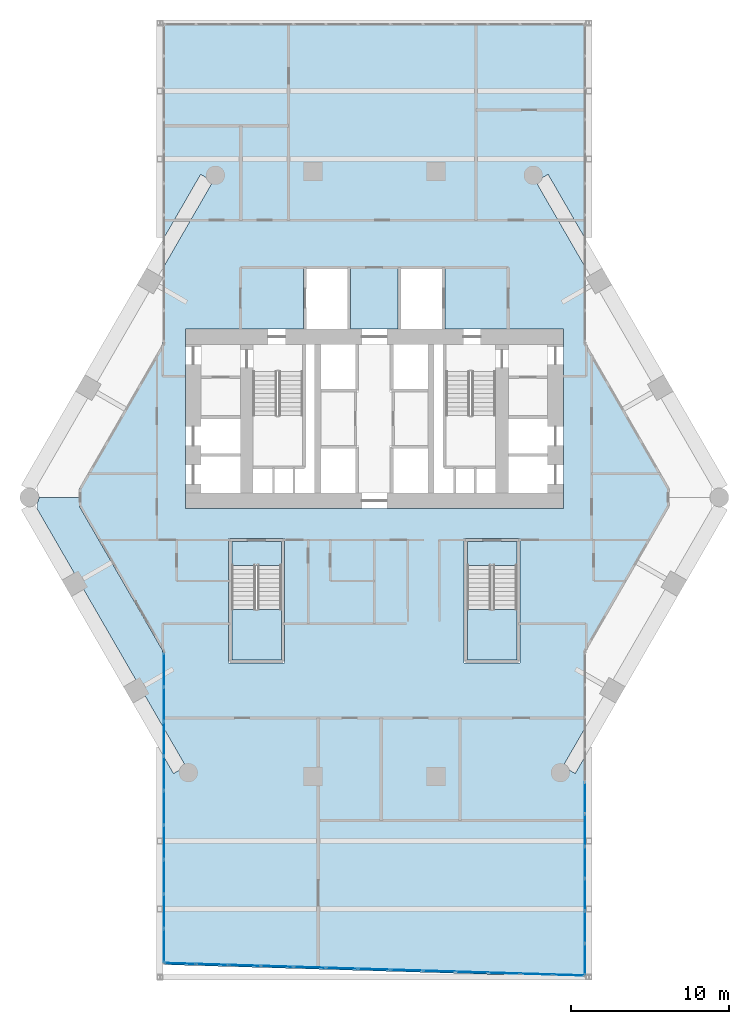
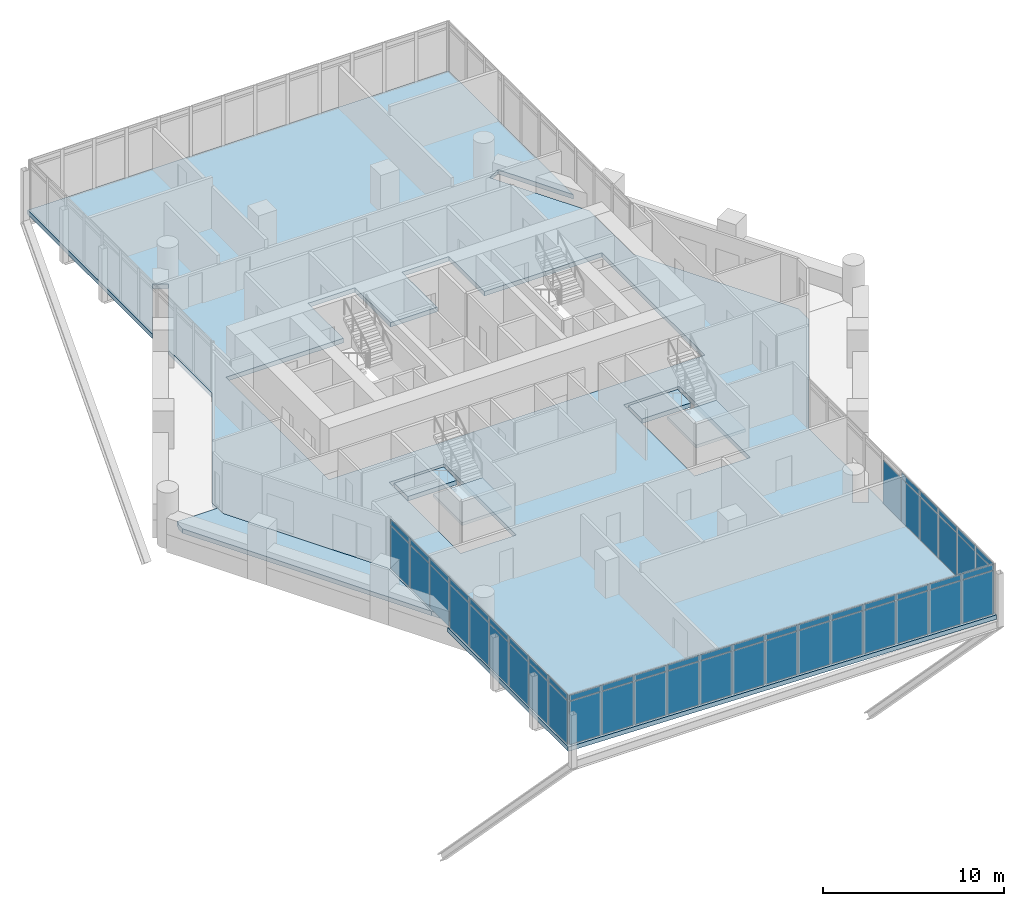
# One storey, part 27 of 37: 55 plates, 6 slabs, 5 elements without a shape of their own.
"""IFC4 building model written with IfcOpenShell, lengths in metres."""

import ifcopenshell
import ifcopenshell.guid

model = None  # the IFC model being written
_history = None  # IfcOwnerHistory: only IFC2X3 demands one
_inside = {}  # id of a spatial element -> (the spatial element, [elements in it])
_under = {}  # id of a project, library or spatial element -> (it, [spatial elements below it])
_declared = {}  # id of a project -> (the project, [libraries it declares])
_typed = {}  # id of a type object -> (the type object, [elements of that type])
_made_of = {}  # id of a material, layer set ... -> (it, [elements and type objects made of it])


def new_model(schema):
    """Start an empty IFC model of exactly this schema.

    Asked for "IFC4X3", IfcOpenShell would pick the latest addendum, in which some entities
    have other attributes; the version numbers below select the first issue.
    IFC2X3 requires an IfcOwnerHistory on every rooted entity: one is made here for all.
    """
    global model, _history
    if schema == "IFC4X3":
        model = ifcopenshell.file(schema_version=(4, 3, 0, 0))
    else:
        model = ifcopenshell.file(schema=schema)
    _inside.clear()
    _under.clear()
    _declared.clear()
    _typed.clear()
    _made_of.clear()
    _history = None
    if model.schema == "IFC2X3":
        org = make("IfcOrganization", Name="unknown")
        user = make(
            "IfcPersonAndOrganization",
            ThePerson=make("IfcPerson", FamilyName="unknown"),
            TheOrganization=org,
        )
        app = make(
            "IfcApplication",
            ApplicationDeveloper=org,
            Version="unknown",
            ApplicationFullName="unknown",
            ApplicationIdentifier="unknown",
        )
        _history = make(
            "IfcOwnerHistory",
            OwningUser=user,
            OwningApplication=app,
            ChangeAction="ADDED",
            CreationDate=0,
        )
    return model


def make(cls, **values):
    """One entity of the class cls with the attributes given. An attribute that is None is left unset."""
    return model.create_entity(
        cls, **{name: value for name, value in values.items() if value is not None}
    )


def rooted(cls, **values):
    """An entity with a GlobalId (a new one), such as an element, a storey or a relation."""
    return make(cls, GlobalId=ifcopenshell.guid.new(), OwnerHistory=_history, **values)


def si_unit(unit_type, name, prefix=None):
    """IfcSIUnit, for example si_unit("LENGTHUNIT", "METRE", prefix="MILLI")."""
    return make("IfcSIUnit", UnitType=unit_type, Prefix=prefix, Name=name)


def assignment(units):
    """IfcUnitAssignment: the units of a project."""
    return None if units is None else make("IfcUnitAssignment", Units=units)


def point(xyz):
    """IfcCartesianPoint."""
    return None if xyz is None else make("IfcCartesianPoint", Coordinates=xyz)


def direction(xyz):
    """IfcDirection."""
    return None if xyz is None else make("IfcDirection", DirectionRatios=xyz)


def frame(location, z_axis=None, x_axis=None):
    """IfcAxis2Placement3D, a coordinate frame: its origin and axes. An axis left out is left unset."""
    return make(
        "IfcAxis2Placement3D",
        Location=point(location),
        Axis=direction(z_axis),
        RefDirection=direction(x_axis),
    )


def frame_2d(location, x_axis=None):
    """IfcAxis2Placement2D, a coordinate frame in the plane: its origin and x axis."""
    return make(
        "IfcAxis2Placement2D", Location=point(location), RefDirection=direction(x_axis)
    )


def origin():
    """The frame at (0, 0, 0) with its axes left unset."""
    return frame((0.0, 0.0, 0.0))


def origin_2d():
    """The frame at (0, 0) in the plane with its x axis left unset."""
    return frame_2d((0.0, 0.0))


def place(relative_to, where):
    """IfcLocalPlacement: puts the frame where relative to a parent placement (None: the world)."""
    return make(
        "IfcLocalPlacement", PlacementRelTo=relative_to, RelativePlacement=where
    )


def context(
    kind, dimensions, precision=None, world=None, true_north=None, identifier=None
):
    """IfcGeometricRepresentationContext, for example the 3D "Model" context."""
    return make(
        "IfcGeometricRepresentationContext",
        ContextIdentifier=identifier,
        ContextType=kind,
        CoordinateSpaceDimension=dimensions,
        Precision=precision,
        WorldCoordinateSystem=world,
        TrueNorth=true_north,
    )


def subcontext(parent, identifier, kind, view, scale=None):
    """IfcGeometricRepresentationSubContext, for example "Body" below "Model"."""
    return make(
        "IfcGeometricRepresentationSubContext",
        ContextIdentifier=identifier,
        ContextType=kind,
        ParentContext=parent,
        TargetScale=scale,
        TargetView=view,
    )


def project(units=None, contexts=None):
    """IfcProject with its units and contexts."""
    return rooted(
        "IfcProject",
        Name="project",
        RepresentationContexts=contexts,
        UnitsInContext=assignment(units),
    )


def spatial(cls, under=None, at=None, **own):
    """A site, building, storey or space (cls), placed at a placement, below another one or the project."""
    s = rooted(cls, ObjectPlacement=at, **own)
    if under is not None:
        _under.setdefault(under.id(), (under, []))[1].append(s)
    return s


def polyline(points):
    """IfcPolyline through the points."""
    return make("IfcPolyline", Points=[point(p) for p in points])


def profile(cls, at=None, kind="AREA", **sizes):
    """A parametric profile (cls). Its sizes go by their IFC names, for example OverallWidth=200.0."""
    return make(cls, ProfileType=kind, Position=at, **sizes)


def rectangle(**sizes):
    """IfcRectangleProfileDef."""
    return profile("IfcRectangleProfileDef", **sizes)


def outline(outer, holes=None, kind="AREA"):
    """IfcArbitraryClosedProfileDef: a profile drawn as a closed curve; with holes, ...WithVoids."""
    if holes is None:
        return make("IfcArbitraryClosedProfileDef", ProfileType=kind, OuterCurve=outer)
    return make(
        "IfcArbitraryProfileDefWithVoids",
        ProfileType=kind,
        OuterCurve=outer,
        InnerCurves=holes,
    )


def extrude(swept, where, along, depth):
    """IfcExtrudedAreaSolid: the profile swept, set in the frame where, extruded along a direction by depth."""
    return make(
        "IfcExtrudedAreaSolid",
        SweptArea=swept,
        Position=where,
        ExtrudedDirection=direction(along),
        Depth=depth,
    )


def shape(context_of_items, identifier, shape_type, items):
    """IfcShapeRepresentation: the items that make up one representation, for example the "Body"."""
    return make(
        "IfcShapeRepresentation",
        ContextOfItems=context_of_items,
        RepresentationIdentifier=identifier,
        RepresentationType=shape_type,
        Items=items,
    )


def material(Name=None, Category=None):
    """IfcMaterial."""
    return make("IfcMaterial", Name=Name, Category=Category)


def layer(
    of_material, thickness, ventilated=None, Name=None, Category=None, Priority=None
):
    """IfcMaterialLayer: one layer of a wall or slab, of a material (None: an air gap)."""
    return make(
        "IfcMaterialLayer",
        Material=of_material,
        LayerThickness=thickness,
        IsVentilated=ventilated,
        Name=Name,
        Category=Category,
        Priority=Priority,
    )


def layer_set(layers, Name=None):
    """IfcMaterialLayerSet."""
    return make("IfcMaterialLayerSet", MaterialLayers=layers, LayerSetName=Name)


def made_of(thing, what):
    """Note that an element or type object is made of a material, layer set ...; save() writes the relation."""
    if what is not None:
        _made_of.setdefault(what.id(), (what, []))[1].append(thing)
    return thing


def type_object(cls, material=None, **own):
    """A type object (cls), such as IfcWallType, which elements share."""
    return made_of(rooted(cls, **own), material)


def element(
    cls,
    number,
    at=None,
    inside=None,
    cuts=None,
    type_object=None,
    material=None,
    context=None,
    identifier="Body",
    shape_type=None,
    held_by="IfcProductDefinitionShape",
    body=None,
    shapes=None,
    **own,
):
    """One element of the class cls, such as IfcWall. Its Tag is "e" and its number.

    at: its placement. inside: the storey or other place that contains it. cuts: it is an
    opening in that element (IfcRelVoidsElement). A single representation is given by context,
    identifier, shape_type and body (its items); several are given by shapes. held_by: the class
    of the entity that holds the representations. save() writes the other relations.
    """
    e = rooted(cls, Tag="e%d" % number, ObjectPlacement=at, **own)
    if body is not None:
        shapes = [shape(context, identifier, shape_type, body)]
    if shapes is not None:
        e.Representation = make(held_by, Representations=shapes)
    if inside is not None:
        _inside.setdefault(inside.id(), (inside, []))[1].append(e)
    if cuts is not None:
        rooted(
            "IfcRelVoidsElement", RelatingBuildingElement=cuts, RelatedOpeningElement=e
        )
    if type_object is not None:
        _typed.setdefault(type_object.id(), (type_object, []))[1].append(e)
    return made_of(e, material)


def aggregate(whole, parts):
    """IfcRelAggregates: a whole, such as a stair, and the parts it consists of."""
    return rooted("IfcRelAggregates", RelatingObject=whole, RelatedObjects=parts)


def save(model, path):
    """Write the relations noted so far, then the file.

    IfcRelAggregates (storeys below a building ...), IfcRelContainedInSpatialStructure (elements
    in a storey), IfcRelDefinesByType, IfcRelAssociatesMaterial and IfcRelDeclares: one each for
    every whole, place, type object, material and project.
    """
    for whole, parts in _under.values():
        aggregate(whole, parts)
    for where, things in _inside.values():
        rooted(
            "IfcRelContainedInSpatialStructure",
            RelatedElements=things,
            RelatingStructure=where,
        )
    for kind, things in _typed.values():
        rooted("IfcRelDefinesByType", RelatedObjects=things, RelatingType=kind)
    for what, things in _made_of.values():
        rooted("IfcRelAssociatesMaterial", RelatedObjects=things, RelatingMaterial=what)
    for by, libraries in _declared.values():
        rooted("IfcRelDeclares", RelatingContext=by, RelatedDefinitions=libraries)
    model.write(path)


model = new_model("IFC4")

# Units and contexts
model_context = context("Model", 3, precision=1e-05, world=origin(), true_north=direction((0.0, 1.0)))
body_context = subcontext(model_context, "Body", "Model", "MODEL_VIEW")
ifc_project = project(units=[si_unit("LENGTHUNIT", "METRE"), si_unit("AREAUNIT", "SQUARE_METRE"), si_unit("VOLUMEUNIT", "CUBIC_METRE"), si_unit("PLANEANGLEUNIT", "RADIAN"), si_unit("MASSUNIT", "GRAM", prefix="KILO")], contexts=[model_context])

# Site, building, storey
site_placement = place(None, origin())
site = spatial("IfcSite", under=ifc_project, at=site_placement, CompositionType="ELEMENT")
building_placement = place(site_placement, origin())
building = spatial("IfcBuilding", under=site, at=building_placement, Name="Ostrander Bayou Hotel Tower", CompositionType="ELEMENT")
storey_placement = place(building_placement, frame((0.0, 0.0, 131.0)))
storey = spatial("IfcBuildingStorey", under=building, at=storey_placement, Name="L32", CompositionType="ELEMENT", Elevation=131.0)

# Curtain wall, plates
ifc_material_1 = material(Name="Aluminium and clear glass", Category="aluminium")
curtain_wall_type = type_object("IfcCurtainWallType", Name="CW-BAR glazed wall", PredefinedType="NOTDEFINED", material=ifc_material_1)
curtain_wall_1_placement = place(storey_placement, origin())
curtain_wall_1 = element("IfcCurtainWall", 1, at=curtain_wall_1_placement, inside=storey, type_object=curtain_wall_type, Name="CW-BAR L32:SB3S:E", PredefinedType="NOTDEFINED")
ifc_material_2 = material(Name="Clear laminated glass", Category="glass")
ifc_layer_1 = layer(ifc_material_2, 0.028076171875)
ifc_layer_set_1 = layer_set([ifc_layer_1], Name="CW-BR glazing panel 28 mm")
plate_type = type_object("IfcPlateType", Name="CW-BR glazing panel 28 mm", PredefinedType="CURTAIN_PANEL", material=ifc_layer_set_1)
plate_1_placement = place(storey_placement, frame((-13.3671875, -11.95703125, 0.06005859375), z_axis=(0.0, 0.0, 1.0), x_axis=(0.0, -1.0, 0.0)))
plate_1 = element("IfcPlate", 2, at=plate_1_placement, type_object=plate_type, Name="CW-BAR panel 1.1", PredefinedType="CURTAIN_PANEL", context=body_context, shape_type="SweptSolid", body=[
    extrude(rectangle(XDim=2.099365234375, YDim=0.028076171875, at=origin_2d()), origin(), (0.0, 0.0, 1.0), 2.909912109375),
])
plate_2_placement = place(storey_placement, frame((-13.3671875, -11.95703125, 3.02978515625), z_axis=(0.0, 0.0, 1.0), x_axis=(0.0, -1.0, 0.0)))
plate_2 = element("IfcPlate", 3, at=plate_2_placement, type_object=plate_type, Name="CW-BAR panel 1.2", PredefinedType="CURTAIN_PANEL", context=body_context, shape_type="SweptSolid", body=[
    extrude(rectangle(XDim=2.099365234375, YDim=0.028076171875, at=origin_2d()), origin(), (0.0, 0.0, 1.0), 0.360107421875),
])
plate_3_placement = place(storey_placement, frame((-13.3671875, -14.13134765625, 0.06005859375), z_axis=(0.0, 0.0, 1.0), x_axis=(0.0, -1.0, 0.0)))
plate_3 = element("IfcPlate", 4, at=plate_3_placement, type_object=plate_type, Name="CW-BAR panel 2.1", PredefinedType="CURTAIN_PANEL", context=body_context, shape_type="SweptSolid", body=[
    extrude(rectangle(XDim=2.12939453125, YDim=0.028076171875, at=origin_2d()), origin(), (0.0, 0.0, 1.0), 2.909912109375),
])
plate_4_placement = place(storey_placement, frame((-13.3671875, -14.13134765625, 3.02978515625), z_axis=(0.0, 0.0, 1.0), x_axis=(0.0, -1.0, 0.0)))
plate_4 = element("IfcPlate", 5, at=plate_4_placement, type_object=plate_type, Name="CW-BAR panel 2.2", PredefinedType="CURTAIN_PANEL", context=body_context, shape_type="SweptSolid", body=[
    extrude(rectangle(XDim=2.12939453125, YDim=0.028076171875, at=origin_2d()), origin(), (0.0, 0.0, 1.0), 0.360107421875),
])
plate_5_placement = place(storey_placement, frame((-13.3671875, -16.32080078125, 0.06005859375), z_axis=(0.0, 0.0, 1.0), x_axis=(0.0, -1.0, 0.0)))
plate_5 = element("IfcPlate", 6, at=plate_5_placement, type_object=plate_type, Name="CW-BAR panel 3.1", PredefinedType="CURTAIN_PANEL", context=body_context, shape_type="SweptSolid", body=[
    extrude(rectangle(XDim=2.12939453125, YDim=0.028076171875, at=origin_2d()), origin(), (0.0, 0.0, 1.0), 2.909912109375),
])
plate_6_placement = place(storey_placement, frame((-13.3671875, -16.32080078125, 3.02978515625), z_axis=(0.0, 0.0, 1.0), x_axis=(0.0, -1.0, 0.0)))
plate_6 = element("IfcPlate", 7, at=plate_6_placement, type_object=plate_type, Name="CW-BAR panel 3.2", PredefinedType="CURTAIN_PANEL", context=body_context, shape_type="SweptSolid", body=[
    extrude(rectangle(XDim=2.12939453125, YDim=0.028076171875, at=origin_2d()), origin(), (0.0, 0.0, 1.0), 0.360107421875),
])
plate_7_placement = place(storey_placement, frame((-13.3671875, -18.51025390625, 0.06005859375), z_axis=(0.0, 0.0, 1.0), x_axis=(0.0, -1.0, 0.0)))
plate_7 = element("IfcPlate", 8, at=plate_7_placement, type_object=plate_type, Name="CW-BAR panel 4.1", PredefinedType="CURTAIN_PANEL", context=body_context, shape_type="SweptSolid", body=[
    extrude(rectangle(XDim=2.12939453125, YDim=0.028076171875, at=origin_2d()), origin(), (0.0, 0.0, 1.0), 2.909912109375),
])
plate_8_placement = place(storey_placement, frame((-13.3671875, -18.51025390625, 3.02978515625), z_axis=(0.0, 0.0, 1.0), x_axis=(0.0, -1.0, 0.0)))
plate_8 = element("IfcPlate", 9, at=plate_8_placement, type_object=plate_type, Name="CW-BAR panel 4.2", PredefinedType="CURTAIN_PANEL", context=body_context, shape_type="SweptSolid", body=[
    extrude(rectangle(XDim=2.12939453125, YDim=0.028076171875, at=origin_2d()), origin(), (0.0, 0.0, 1.0), 0.360107421875),
])
plate_9_placement = place(storey_placement, frame((-13.3671875, -20.69970703125, 0.06005859375), z_axis=(0.0, 0.0, 1.0), x_axis=(0.0, -1.0, 0.0)))
plate_9 = element("IfcPlate", 10, at=plate_9_placement, type_object=plate_type, Name="CW-BAR panel 5.1", PredefinedType="CURTAIN_PANEL", context=body_context, shape_type="SweptSolid", body=[
    extrude(rectangle(XDim=2.12939453125, YDim=0.028076171875, at=origin_2d()), origin(), (0.0, 0.0, 1.0), 2.909912109375),
])
plate_10_placement = place(storey_placement, frame((-13.3671875, -20.69970703125, 3.02978515625), z_axis=(0.0, 0.0, 1.0), x_axis=(0.0, -1.0, 0.0)))
plate_10 = element("IfcPlate", 11, at=plate_10_placement, type_object=plate_type, Name="CW-BAR panel 5.2", PredefinedType="CURTAIN_PANEL", context=body_context, shape_type="SweptSolid", body=[
    extrude(rectangle(XDim=2.12939453125, YDim=0.028076171875, at=origin_2d()), origin(), (0.0, 0.0, 1.0), 0.360107421875),
])
plate_11_placement = place(storey_placement, frame((-13.3671875, -22.88916015625, 0.06005859375), z_axis=(0.0, 0.0, 1.0), x_axis=(0.0, -1.0, 0.0)))
plate_11 = element("IfcPlate", 12, at=plate_11_placement, type_object=plate_type, Name="CW-BAR panel 6.1", PredefinedType="CURTAIN_PANEL", context=body_context, shape_type="SweptSolid", body=[
    extrude(rectangle(XDim=2.12939453125, YDim=0.028076171875, at=origin_2d()), origin(), (0.0, 0.0, 1.0), 2.909912109375),
])
plate_12_placement = place(storey_placement, frame((-13.3671875, -22.88916015625, 3.02978515625), z_axis=(0.0, 0.0, 1.0), x_axis=(0.0, -1.0, 0.0)))
plate_12 = element("IfcPlate", 13, at=plate_12_placement, type_object=plate_type, Name="CW-BAR panel 6.2", PredefinedType="CURTAIN_PANEL", context=body_context, shape_type="SweptSolid", body=[
    extrude(rectangle(XDim=2.12939453125, YDim=0.028076171875, at=origin_2d()), origin(), (0.0, 0.0, 1.0), 0.360107421875),
])
plate_13_placement = place(storey_placement, frame((-13.3671875, -25.07861328125, 0.06005859375), z_axis=(0.0, 0.0, 1.0), x_axis=(0.0, -1.0, 0.0)))
plate_13 = element("IfcPlate", 14, at=plate_13_placement, type_object=plate_type, Name="CW-BAR panel 7.1", PredefinedType="CURTAIN_PANEL", context=body_context, shape_type="SweptSolid", body=[
    extrude(rectangle(XDim=2.12939453125, YDim=0.028076171875, at=origin_2d()), origin(), (0.0, 0.0, 1.0), 2.909912109375),
])
plate_14_placement = place(storey_placement, frame((-13.3671875, -25.07861328125, 3.02978515625), z_axis=(0.0, 0.0, 1.0), x_axis=(0.0, -1.0, 0.0)))
plate_14 = element("IfcPlate", 15, at=plate_14_placement, type_object=plate_type, Name="CW-BAR panel 7.2", PredefinedType="CURTAIN_PANEL", context=body_context, shape_type="SweptSolid", body=[
    extrude(rectangle(XDim=2.12939453125, YDim=0.028076171875, at=origin_2d()), origin(), (0.0, 0.0, 1.0), 0.360107421875),
])
plate_15_placement = place(storey_placement, frame((-13.3671875, -27.26806640625, 0.06005859375), z_axis=(0.0, 0.0, 1.0), x_axis=(0.0, -1.0, 0.0)))
plate_15 = element("IfcPlate", 16, at=plate_15_placement, type_object=plate_type, Name="CW-BAR panel 8.1", PredefinedType="CURTAIN_PANEL", context=body_context, shape_type="SweptSolid", body=[
    extrude(rectangle(XDim=2.12939453125, YDim=0.028076171875, at=origin_2d()), origin(), (0.0, 0.0, 1.0), 2.909912109375),
])
plate_16_placement = place(storey_placement, frame((-13.3671875, -27.26806640625, 3.02978515625), z_axis=(0.0, 0.0, 1.0), x_axis=(0.0, -1.0, 0.0)))
plate_16 = element("IfcPlate", 17, at=plate_16_placement, type_object=plate_type, Name="CW-BAR panel 8.2", PredefinedType="CURTAIN_PANEL", context=body_context, shape_type="SweptSolid", body=[
    extrude(rectangle(XDim=2.12939453125, YDim=0.028076171875, at=origin_2d()), origin(), (0.0, 0.0, 1.0), 0.360107421875),
])
plate_17_placement = place(storey_placement, frame((-13.3671875, -29.4423828125, 0.06005859375), z_axis=(0.0, 0.0, 1.0), x_axis=(0.0, -1.0, 0.0)))
plate_17 = element("IfcPlate", 18, at=plate_17_placement, type_object=plate_type, Name="CW-BAR panel 9.1", PredefinedType="CURTAIN_PANEL", context=body_context, shape_type="SweptSolid", body=[
    extrude(rectangle(XDim=2.099365234375, YDim=0.028076171875, at=origin_2d()), origin(), (0.0, 0.0, 1.0), 2.909912109375),
])
plate_18_placement = place(storey_placement, frame((-13.3671875, -29.4423828125, 3.02978515625), z_axis=(0.0, 0.0, 1.0), x_axis=(0.0, -1.0, 0.0)))
plate_18 = element("IfcPlate", 19, at=plate_18_placement, type_object=plate_type, Name="CW-BAR panel 9.2", PredefinedType="CURTAIN_PANEL", context=body_context, shape_type="SweptSolid", body=[
    extrude(rectangle(XDim=2.099365234375, YDim=0.028076171875, at=origin_2d()), origin(), (0.0, 0.0, 1.0), 0.360107421875),
])
aggregate(curtain_wall_1, [plate_1, plate_2, plate_3, plate_4, plate_5, plate_6, plate_7, plate_8, plate_9, plate_10, plate_11, plate_12, plate_13, plate_14, plate_15, plate_16, plate_17, plate_18])

curtain_wall_2_placement = place(storey_placement, origin())
curtain_wall_2 = element("IfcCurtainWall", 20, at=curtain_wall_2_placement, inside=storey, type_object=curtain_wall_type, Name="CW-BAR L32:SB3S:T", PredefinedType="NOTDEFINED")
plate_19_placement = place(storey_placement, frame((-12.323974609375, -30.583251953125, 0.06005859375), z_axis=(0.0, 0.0, 1.0), x_axis=(0.999557482631, -0.029746242041, 0.0)))
plate_19 = element("IfcPlate", 21, at=plate_19_placement, type_object=plate_type, Name="CW-BAR panel 1.1", PredefinedType="CURTAIN_PANEL", context=body_context, shape_type="SweptSolid", body=[
    extrude(rectangle(XDim=1.96728515625, YDim=0.028076171875, at=origin_2d()), origin(), (0.0, 0.0, 1.0), 2.909912109375),
])
plate_20_placement = place(storey_placement, frame((-12.323974609375, -30.583251953125, 3.02978515625), z_axis=(0.0, 0.0, 1.0), x_axis=(0.999557482631, -0.029746242041, 0.0)))
plate_20 = element("IfcPlate", 22, at=plate_20_placement, type_object=plate_type, Name="CW-BAR panel 1.2", PredefinedType="CURTAIN_PANEL", context=body_context, shape_type="SweptSolid", body=[
    extrude(rectangle(XDim=1.96728515625, YDim=0.028076171875, at=origin_2d()), origin(), (0.0, 0.0, 1.0), 0.360107421875),
])
plate_21_placement = place(storey_placement, frame((-10.282470703125, -30.64404296875, 0.06005859375), z_axis=(0.0, 0.0, 1.0), x_axis=(0.999557482631, -0.029746242041, 0.0)))
plate_21 = element("IfcPlate", 23, at=plate_21_placement, type_object=plate_type, Name="CW-BAR panel 2.1", PredefinedType="CURTAIN_PANEL", context=body_context, shape_type="SweptSolid", body=[
    extrude(rectangle(XDim=1.997314453125, YDim=0.028076171875, at=origin_2d()), origin(), (0.0, 0.0, 1.0), 2.909912109375),
])
plate_22_placement = place(storey_placement, frame((-10.282470703125, -30.64404296875, 3.02978515625), z_axis=(0.0, 0.0, 1.0), x_axis=(0.999557482631, -0.029746242041, 0.0)))
plate_22 = element("IfcPlate", 24, at=plate_22_placement, type_object=plate_type, Name="CW-BAR panel 2.2", PredefinedType="CURTAIN_PANEL", context=body_context, shape_type="SweptSolid", body=[
    extrude(rectangle(XDim=1.997314453125, YDim=0.028076171875, at=origin_2d()), origin(), (0.0, 0.0, 1.0), 0.360107421875),
])
plate_23_placement = place(storey_placement, frame((-8.22607421875, -30.705078125, 0.06005859375), z_axis=(0.0, 0.0, 1.0), x_axis=(0.999557482631, -0.029746242041, 0.0)))
plate_23 = element("IfcPlate", 25, at=plate_23_placement, type_object=plate_type, Name="CW-BAR panel 3.1", PredefinedType="CURTAIN_PANEL", context=body_context, shape_type="SweptSolid", body=[
    extrude(rectangle(XDim=1.997314453125, YDim=0.028076171875, at=origin_2d()), origin(), (0.0, 0.0, 1.0), 2.909912109375),
])
plate_24_placement = place(storey_placement, frame((-8.22607421875, -30.705078125, 3.02978515625), z_axis=(0.0, 0.0, 1.0), x_axis=(0.999557482631, -0.029746242041, 0.0)))
plate_24 = element("IfcPlate", 26, at=plate_24_placement, type_object=plate_type, Name="CW-BAR panel 3.2", PredefinedType="CURTAIN_PANEL", context=body_context, shape_type="SweptSolid", body=[
    extrude(rectangle(XDim=1.997314453125, YDim=0.028076171875, at=origin_2d()), origin(), (0.0, 0.0, 1.0), 0.360107421875),
])
plate_25_placement = place(storey_placement, frame((-6.16943359375, -30.766357421875, 0.06005859375), z_axis=(0.0, 0.0, 1.0), x_axis=(0.999557482631, -0.029746242041, 0.0)))
plate_25 = element("IfcPlate", 27, at=plate_25_placement, type_object=plate_type, Name="CW-BAR panel 4.1", PredefinedType="CURTAIN_PANEL", context=body_context, shape_type="SweptSolid", body=[
    extrude(rectangle(XDim=1.997314453125, YDim=0.028076171875, at=origin_2d()), origin(), (0.0, 0.0, 1.0), 2.909912109375),
])
plate_26_placement = place(storey_placement, frame((-6.16943359375, -30.766357421875, 3.02978515625), z_axis=(0.0, 0.0, 1.0), x_axis=(0.999557482631, -0.029746242041, 0.0)))
plate_26 = element("IfcPlate", 28, at=plate_26_placement, type_object=plate_type, Name="CW-BAR panel 4.2", PredefinedType="CURTAIN_PANEL", context=body_context, shape_type="SweptSolid", body=[
    extrude(rectangle(XDim=1.997314453125, YDim=0.028076171875, at=origin_2d()), origin(), (0.0, 0.0, 1.0), 0.360107421875),
])
plate_27_placement = place(storey_placement, frame((-4.113037109375, -30.82763671875, 0.06005859375), z_axis=(0.0, 0.0, 1.0), x_axis=(0.999557482631, -0.029746242041, 0.0)))
plate_27 = element("IfcPlate", 29, at=plate_27_placement, type_object=plate_type, Name="CW-BAR panel 5.1", PredefinedType="CURTAIN_PANEL", context=body_context, shape_type="SweptSolid", body=[
    extrude(rectangle(XDim=1.997314453125, YDim=0.028076171875, at=origin_2d()), origin(), (0.0, 0.0, 1.0), 2.909912109375),
])
plate_28_placement = place(storey_placement, frame((-4.113037109375, -30.82763671875, 3.02978515625), z_axis=(0.0, 0.0, 1.0), x_axis=(0.999557482631, -0.029746242041, 0.0)))
plate_28 = element("IfcPlate", 30, at=plate_28_placement, type_object=plate_type, Name="CW-BAR panel 5.2", PredefinedType="CURTAIN_PANEL", context=body_context, shape_type="SweptSolid", body=[
    extrude(rectangle(XDim=1.997314453125, YDim=0.028076171875, at=origin_2d()), origin(), (0.0, 0.0, 1.0), 0.360107421875),
])
plate_29_placement = place(storey_placement, frame((-2.056396484375, -30.888916015625, 0.06005859375), z_axis=(0.0, 0.0, 1.0), x_axis=(0.999557482631, -0.029746242041, 0.0)))
plate_29 = element("IfcPlate", 31, at=plate_29_placement, type_object=plate_type, Name="CW-BAR panel 6.1", PredefinedType="CURTAIN_PANEL", context=body_context, shape_type="SweptSolid", body=[
    extrude(rectangle(XDim=1.997314453125, YDim=0.028076171875, at=origin_2d()), origin(), (0.0, 0.0, 1.0), 2.909912109375),
])
plate_30_placement = place(storey_placement, frame((-2.056396484375, -30.888916015625, 3.02978515625), z_axis=(0.0, 0.0, 1.0), x_axis=(0.999557482631, -0.029746242041, 0.0)))
plate_30 = element("IfcPlate", 32, at=plate_30_placement, type_object=plate_type, Name="CW-BAR panel 6.2", PredefinedType="CURTAIN_PANEL", context=body_context, shape_type="SweptSolid", body=[
    extrude(rectangle(XDim=1.997314453125, YDim=0.028076171875, at=origin_2d()), origin(), (0.0, 0.0, 1.0), 0.360107421875),
])
plate_31_placement = place(storey_placement, frame((0.0, -30.949951171875, 0.06005859375), z_axis=(0.0, 0.0, 1.0), x_axis=(0.999557482631, -0.029746242041, 0.0)))
plate_31 = element("IfcPlate", 33, at=plate_31_placement, type_object=plate_type, Name="CW-BAR panel 7.1", PredefinedType="CURTAIN_PANEL", context=body_context, shape_type="SweptSolid", body=[
    extrude(rectangle(XDim=1.997314453125, YDim=0.028076171875, at=origin_2d()), origin(), (0.0, 0.0, 1.0), 2.909912109375),
])
plate_32_placement = place(storey_placement, frame((0.0, -30.949951171875, 3.02978515625), z_axis=(0.0, 0.0, 1.0), x_axis=(0.999557482631, -0.029746242041, 0.0)))
plate_32 = element("IfcPlate", 34, at=plate_32_placement, type_object=plate_type, Name="CW-BAR panel 7.2", PredefinedType="CURTAIN_PANEL", context=body_context, shape_type="SweptSolid", body=[
    extrude(rectangle(XDim=1.997314453125, YDim=0.028076171875, at=origin_2d()), origin(), (0.0, 0.0, 1.0), 0.360107421875),
])
plate_33_placement = place(storey_placement, frame((2.056396484375, -31.01123046875, 0.06005859375), z_axis=(0.0, 0.0, 1.0), x_axis=(0.999557482631, -0.029746242041, 0.0)))
plate_33 = element("IfcPlate", 35, at=plate_33_placement, type_object=plate_type, Name="CW-BAR panel 8.1", PredefinedType="CURTAIN_PANEL", context=body_context, shape_type="SweptSolid", body=[
    extrude(rectangle(XDim=1.997314453125, YDim=0.028076171875, at=origin_2d()), origin(), (0.0, 0.0, 1.0), 2.909912109375),
])
plate_34_placement = place(storey_placement, frame((2.056396484375, -31.01123046875, 3.02978515625), z_axis=(0.0, 0.0, 1.0), x_axis=(0.999557482631, -0.029746242041, 0.0)))
plate_34 = element("IfcPlate", 36, at=plate_34_placement, type_object=plate_type, Name="CW-BAR panel 8.2", PredefinedType="CURTAIN_PANEL", context=body_context, shape_type="SweptSolid", body=[
    extrude(rectangle(XDim=1.997314453125, YDim=0.028076171875, at=origin_2d()), origin(), (0.0, 0.0, 1.0), 0.360107421875),
])
plate_35_placement = place(storey_placement, frame((4.113037109375, -31.072509765625, 0.06005859375), z_axis=(0.0, 0.0, 1.0), x_axis=(0.999557482631, -0.029746242041, 0.0)))
plate_35 = element("IfcPlate", 37, at=plate_35_placement, type_object=plate_type, Name="CW-BAR panel 9.1", PredefinedType="CURTAIN_PANEL", context=body_context, shape_type="SweptSolid", body=[
    extrude(rectangle(XDim=1.997314453125, YDim=0.028076171875, at=origin_2d()), origin(), (0.0, 0.0, 1.0), 2.909912109375),
])
plate_36_placement = place(storey_placement, frame((4.113037109375, -31.072509765625, 3.02978515625), z_axis=(0.0, 0.0, 1.0), x_axis=(0.999557482631, -0.029746242041, 0.0)))
plate_36 = element("IfcPlate", 38, at=plate_36_placement, type_object=plate_type, Name="CW-BAR panel 9.2", PredefinedType="CURTAIN_PANEL", context=body_context, shape_type="SweptSolid", body=[
    extrude(rectangle(XDim=1.997314453125, YDim=0.028076171875, at=origin_2d()), origin(), (0.0, 0.0, 1.0), 0.360107421875),
])
plate_37_placement = place(storey_placement, frame((6.16943359375, -31.133544921875, 0.06005859375), z_axis=(0.0, 0.0, 1.0), x_axis=(0.999557482631, -0.029746242041, 0.0)))
plate_37 = element("IfcPlate", 39, at=plate_37_placement, type_object=plate_type, Name="CW-BAR panel 10.1", PredefinedType="CURTAIN_PANEL", context=body_context, shape_type="SweptSolid", body=[
    extrude(rectangle(XDim=1.997314453125, YDim=0.028076171875, at=origin_2d()), origin(), (0.0, 0.0, 1.0), 2.909912109375),
])
plate_38_placement = place(storey_placement, frame((6.16943359375, -31.133544921875, 3.02978515625), z_axis=(0.0, 0.0, 1.0), x_axis=(0.999557482631, -0.029746242041, 0.0)))
plate_38 = element("IfcPlate", 40, at=plate_38_placement, type_object=plate_type, Name="CW-BAR panel 10.2", PredefinedType="CURTAIN_PANEL", context=body_context, shape_type="SweptSolid", body=[
    extrude(rectangle(XDim=1.997314453125, YDim=0.028076171875, at=origin_2d()), origin(), (0.0, 0.0, 1.0), 0.360107421875),
])
plate_39_placement = place(storey_placement, frame((8.22607421875, -31.19482421875, 0.06005859375), z_axis=(0.0, 0.0, 1.0), x_axis=(0.999557482631, -0.029746242041, 0.0)))
plate_39 = element("IfcPlate", 41, at=plate_39_placement, type_object=plate_type, Name="CW-BAR panel 11.1", PredefinedType="CURTAIN_PANEL", context=body_context, shape_type="SweptSolid", body=[
    extrude(rectangle(XDim=1.997314453125, YDim=0.028076171875, at=origin_2d()), origin(), (0.0, 0.0, 1.0), 2.909912109375),
])
plate_40_placement = place(storey_placement, frame((8.22607421875, -31.19482421875, 3.02978515625), z_axis=(0.0, 0.0, 1.0), x_axis=(0.999557482631, -0.029746242041, 0.0)))
plate_40 = element("IfcPlate", 42, at=plate_40_placement, type_object=plate_type, Name="CW-BAR panel 11.2", PredefinedType="CURTAIN_PANEL", context=body_context, shape_type="SweptSolid", body=[
    extrude(rectangle(XDim=1.997314453125, YDim=0.028076171875, at=origin_2d()), origin(), (0.0, 0.0, 1.0), 0.360107421875),
])
plate_41_placement = place(storey_placement, frame((10.282470703125, -31.256103515625, 0.06005859375), z_axis=(0.0, 0.0, 1.0), x_axis=(0.999557482631, -0.029746242041, 0.0)))
plate_41 = element("IfcPlate", 43, at=plate_41_placement, type_object=plate_type, Name="CW-BAR panel 12.1", PredefinedType="CURTAIN_PANEL", context=body_context, shape_type="SweptSolid", body=[
    extrude(rectangle(XDim=1.997314453125, YDim=0.028076171875, at=origin_2d()), origin(), (0.0, 0.0, 1.0), 2.909912109375),
])
plate_42_placement = place(storey_placement, frame((10.282470703125, -31.256103515625, 3.02978515625), z_axis=(0.0, 0.0, 1.0), x_axis=(0.999557482631, -0.029746242041, 0.0)))
plate_42 = element("IfcPlate", 44, at=plate_42_placement, type_object=plate_type, Name="CW-BAR panel 12.2", PredefinedType="CURTAIN_PANEL", context=body_context, shape_type="SweptSolid", body=[
    extrude(rectangle(XDim=1.997314453125, YDim=0.028076171875, at=origin_2d()), origin(), (0.0, 0.0, 1.0), 0.360107421875),
])
plate_43_placement = place(storey_placement, frame((12.323974609375, -31.316650390625, 0.06005859375), z_axis=(0.0, 0.0, 1.0), x_axis=(0.999557482631, -0.029746242041, 0.0)))
plate_43 = element("IfcPlate", 45, at=plate_43_placement, type_object=plate_type, Name="CW-BAR panel 13.1", PredefinedType="CURTAIN_PANEL", context=body_context, shape_type="SweptSolid", body=[
    extrude(rectangle(XDim=1.96728515625, YDim=0.028076171875, at=origin_2d()), origin(), (0.0, 0.0, 1.0), 2.909912109375),
])
plate_44_placement = place(storey_placement, frame((12.323974609375, -31.316650390625, 3.02978515625), z_axis=(0.0, 0.0, 1.0), x_axis=(0.999557482631, -0.029746242041, 0.0)))
plate_44 = element("IfcPlate", 46, at=plate_44_placement, type_object=plate_type, Name="CW-BAR panel 13.2", PredefinedType="CURTAIN_PANEL", context=body_context, shape_type="SweptSolid", body=[
    extrude(rectangle(XDim=1.96728515625, YDim=0.028076171875, at=origin_2d()), origin(), (0.0, 0.0, 1.0), 0.360107421875),
])
aggregate(curtain_wall_2, [plate_19, plate_20, plate_21, plate_22, plate_23, plate_24, plate_25, plate_26, plate_27, plate_28, plate_29, plate_30, plate_31, plate_32, plate_33, plate_34, plate_35, plate_36, plate_37, plate_38, plate_39, plate_40, plate_41, plate_42, plate_43, plate_44])

curtain_wall_3_placement = place(storey_placement, origin())
curtain_wall_3 = element("IfcCurtainWall", 47, at=curtain_wall_3_placement, inside=storey, type_object=curtain_wall_type, Name="CW-BAR L32:SB3S:W", PredefinedType="NOTDEFINED")
plate_45_placement = place(storey_placement, frame((13.3671875, -20.072509765625, 0.06005859375), z_axis=(0.0, 0.0, 1.0), x_axis=(0.0, -1.0, 0.0)))
plate_45 = element("IfcPlate", 48, at=plate_45_placement, type_object=plate_type, Name="CW-BAR panel 5.1", PredefinedType="CURTAIN_PANEL", context=body_context, shape_type="SweptSolid", body=[
    extrude(rectangle(XDim=1.989990234375, YDim=0.028076171875, at=origin_2d()), origin(), (0.0, 0.0, 1.0), 2.909912109375),
])
plate_46_placement = place(storey_placement, frame((13.3671875, -22.12255859375, 0.06005859375), z_axis=(0.0, 0.0, 1.0), x_axis=(0.0, -1.0, 0.0)))
plate_46 = element("IfcPlate", 49, at=plate_46_placement, type_object=plate_type, Name="CW-BAR panel 6.1", PredefinedType="CURTAIN_PANEL", context=body_context, shape_type="SweptSolid", body=[
    extrude(rectangle(XDim=1.989990234375, YDim=0.028076171875, at=origin_2d()), origin(), (0.0, 0.0, 1.0), 2.909912109375),
])
plate_47_placement = place(storey_placement, frame((13.3671875, -22.12255859375, 3.02978515625), z_axis=(0.0, 0.0, 1.0), x_axis=(0.0, -1.0, 0.0)))
plate_47 = element("IfcPlate", 50, at=plate_47_placement, type_object=plate_type, Name="CW-BAR panel 6.2", PredefinedType="CURTAIN_PANEL", context=body_context, shape_type="SweptSolid", body=[
    extrude(rectangle(XDim=1.989990234375, YDim=0.028076171875, at=origin_2d()), origin(), (0.0, 0.0, 1.0), 0.360107421875),
])
plate_48_placement = place(storey_placement, frame((13.3671875, -24.172607421875, 0.06005859375), z_axis=(0.0, 0.0, 1.0), x_axis=(0.0, -1.0, 0.0)))
plate_48 = element("IfcPlate", 51, at=plate_48_placement, type_object=plate_type, Name="CW-BAR panel 7.1", PredefinedType="CURTAIN_PANEL", context=body_context, shape_type="SweptSolid", body=[
    extrude(rectangle(XDim=1.989990234375, YDim=0.028076171875, at=origin_2d()), origin(), (0.0, 0.0, 1.0), 2.909912109375),
])
plate_49_placement = place(storey_placement, frame((13.3671875, -24.172607421875, 3.02978515625), z_axis=(0.0, 0.0, 1.0), x_axis=(0.0, -1.0, 0.0)))
plate_49 = element("IfcPlate", 52, at=plate_49_placement, type_object=plate_type, Name="CW-BAR panel 7.2", PredefinedType="CURTAIN_PANEL", context=body_context, shape_type="SweptSolid", body=[
    extrude(rectangle(XDim=1.989990234375, YDim=0.028076171875, at=origin_2d()), origin(), (0.0, 0.0, 1.0), 0.360107421875),
])
plate_50_placement = place(storey_placement, frame((13.3671875, -26.22265625, 0.06005859375), z_axis=(0.0, 0.0, 1.0), x_axis=(0.0, -1.0, 0.0)))
plate_50 = element("IfcPlate", 53, at=plate_50_placement, type_object=plate_type, Name="CW-BAR panel 8.1", PredefinedType="CURTAIN_PANEL", context=body_context, shape_type="SweptSolid", body=[
    extrude(rectangle(XDim=1.989990234375, YDim=0.028076171875, at=origin_2d()), origin(), (0.0, 0.0, 1.0), 2.909912109375),
])
plate_51_placement = place(storey_placement, frame((13.3671875, -26.22265625, 3.02978515625), z_axis=(0.0, 0.0, 1.0), x_axis=(0.0, -1.0, 0.0)))
plate_51 = element("IfcPlate", 54, at=plate_51_placement, type_object=plate_type, Name="CW-BAR panel 8.2", PredefinedType="CURTAIN_PANEL", context=body_context, shape_type="SweptSolid", body=[
    extrude(rectangle(XDim=1.989990234375, YDim=0.028076171875, at=origin_2d()), origin(), (0.0, 0.0, 1.0), 0.360107421875),
])
plate_52_placement = place(storey_placement, frame((13.3671875, -28.272705078125, 0.06005859375), z_axis=(0.0, 0.0, 1.0), x_axis=(0.0, -1.0, 0.0)))
plate_52 = element("IfcPlate", 55, at=plate_52_placement, type_object=plate_type, Name="CW-BAR panel 9.1", PredefinedType="CURTAIN_PANEL", context=body_context, shape_type="SweptSolid", body=[
    extrude(rectangle(XDim=1.989990234375, YDim=0.028076171875, at=origin_2d()), origin(), (0.0, 0.0, 1.0), 2.909912109375),
])
plate_53_placement = place(storey_placement, frame((13.3671875, -28.272705078125, 3.02978515625), z_axis=(0.0, 0.0, 1.0), x_axis=(0.0, -1.0, 0.0)))
plate_53 = element("IfcPlate", 56, at=plate_53_placement, type_object=plate_type, Name="CW-BAR panel 9.2", PredefinedType="CURTAIN_PANEL", context=body_context, shape_type="SweptSolid", body=[
    extrude(rectangle(XDim=1.989990234375, YDim=0.028076171875, at=origin_2d()), origin(), (0.0, 0.0, 1.0), 0.360107421875),
])
plate_54_placement = place(storey_placement, frame((13.3671875, -30.307861328125, 0.06005859375), z_axis=(0.0, 0.0, 1.0), x_axis=(0.0, -1.0, 0.0)))
plate_54 = element("IfcPlate", 57, at=plate_54_placement, type_object=plate_type, Name="CW-BAR panel 10.1", PredefinedType="CURTAIN_PANEL", context=body_context, shape_type="SweptSolid", body=[
    extrude(rectangle(XDim=1.9599609375, YDim=0.028076171875, at=origin_2d()), origin(), (0.0, 0.0, 1.0), 2.909912109375),
])
plate_55_placement = place(storey_placement, frame((13.3671875, -30.307861328125, 3.02978515625), z_axis=(0.0, 0.0, 1.0), x_axis=(0.0, -1.0, 0.0)))
plate_55 = element("IfcPlate", 58, at=plate_55_placement, type_object=plate_type, Name="CW-BAR panel 10.2", PredefinedType="CURTAIN_PANEL", context=body_context, shape_type="SweptSolid", body=[
    extrude(rectangle(XDim=1.9599609375, YDim=0.028076171875, at=origin_2d()), origin(), (0.0, 0.0, 1.0), 0.360107421875),
])
aggregate(curtain_wall_3, [plate_45, plate_46, plate_47, plate_48, plate_49, plate_50, plate_51, plate_52, plate_53, plate_54, plate_55])

# Slabs
ifc_material_3 = material(Name="Concrete f'c 40 MPa", Category="concrete")
ifc_layer_2 = layer(ifc_material_3, 0.300048828125)
ifc_layer_set_2 = layer_set([ifc_layer_2], Name="SL1 floor slab 300 mm f'c 40 MPa")
slab_type_1 = type_object("IfcSlabType", Name="SL1 floor slab 300 mm f'c 40 MPa", PredefinedType="FLOOR", material=ifc_layer_set_2)
slab_1_placement = place(storey_placement, frame((0.0, 0.0, -0.300048828125)))
element("IfcSlab", 59, at=slab_1_placement, inside=storey, type_object=slab_type_1, Name="SL1 L32 1", PredefinedType="FLOOR", context=body_context, shape_type="SweptSolid", body=[
    extrude(outline(polyline([(-12.748779296875, -18.5185546875), (-11.96923828125, -18.068603515625), (-13.442138671875, -15.517333984375), (-13.442138671875, -10.71728515625), (-18.710205078125, -1.5927734375), (-18.710205078125, -0.392822265625), (-13.442138671875, 8.731689453125), (-13.442138671875, 13.53173828125), (-10.249755859375, 19.061279296875), (-11.029052734375, 19.511474609375), (-13.442138671875, 15.331787109375), (-13.442138671875, 29.13720703125), (13.442138671875, 29.13720703125), (13.442138671875, 15.331787109375), (11.029052734375, 19.511474609375), (10.249755859375, 19.061279296875), (13.442138671875, 13.53173828125), (13.442138671875, 8.731689453125), (18.710205078125, -0.392822265625), (18.710205078125, -1.5927734375), (13.442138671875, -10.71728515625), (13.442138671875, -15.517333984375), (11.96923828125, -18.068603515625), (12.748779296875, -18.5185546875), (13.442138671875, -17.3173828125), (13.442138671875, -31.449951171875), (-13.442138671875, -30.64990234375), (-13.442138671875, -17.3173828125), (-12.748779296875, -18.5185546875)]), holes=[polyline([(-12.0, -1.699951171875), (12.0, -1.699951171875), (12.0, 9.699951171875), (4.5, 9.699951171875), (4.5, 13.60009765625), (1.5, 13.60009765625), (1.5, 9.699951171875), (-1.5, 9.699951171875), (-1.5, 13.60009765625), (-4.5, 13.60009765625), (-4.5, 9.699951171875), (-12.0, 9.699951171875), (-12.0, -1.699951171875)]), polyline([(9.25, -3.60009765625), (5.699951171875, -3.60009765625), (5.699951171875, -11.5), (9.25, -11.5), (9.25, -3.60009765625)]), polyline([(-5.699951171875, -3.60009765625), (-9.25, -3.60009765625), (-9.25, -11.5), (-5.699951171875, -11.5), (-5.699951171875, -3.60009765625)])]), origin(), (0.0, 0.0, 1.0), 0.300048828125),
])
slab_2_placement = place(storey_placement, frame((0.0, 0.0, -0.300048828125)))
element("IfcSlab", 60, at=slab_2_placement, inside=storey, type_object=slab_type_1, Name="cslab:L32:006", PredefinedType="FLOOR", context=body_context, shape_type="SweptSolid", body=[
    extrude(outline(polyline([(9.050048828125, -5.300048828125), (9.050048828125, -3.800048828125), (5.89990234375, -3.800048828125), (5.89990234375, -5.300048828125), (9.050048828125, -5.300048828125)])), origin(), (0.0, 0.0, 1.0), 0.300048828125),
])
slab_3_placement = place(storey_placement, frame((0.0, 0.0, -0.300048828125)))
element("IfcSlab", 61, at=slab_3_placement, inside=storey, type_object=slab_type_1, Name="cslab:L32:007", PredefinedType="FLOOR", context=body_context, shape_type="SweptSolid", body=[
    extrude(outline(polyline([(-5.89990234375, -5.300048828125), (-5.89990234375, -3.800048828125), (-9.050048828125, -3.800048828125), (-9.050048828125, -5.300048828125), (-5.89990234375, -5.300048828125)])), origin(), (0.0, 0.0, 1.0), 0.300048828125),
])
ifc_material_4 = material(Name="Concrete f'c 40 MPa", Category="concrete")
ifc_layer_3 = layer(ifc_material_4, 0.300048828125)
ifc_layer_set_3 = layer_set([ifc_layer_3], Name="SL4 loggia slab 300 mm f'c 40 MPa")
slab_type_2 = type_object("IfcSlabType", Name="SL4 loggia slab 300 mm f'c 40 MPa", PredefinedType="FLOOR", material=ifc_layer_set_3)
slab_4_placement = place(storey_placement, frame((0.0, 0.0, -0.300048828125)))
element("IfcSlab", 62, at=slab_4_placement, inside=storey, type_object=slab_type_2, Name="SL4 LOGGIA L32 SW 1", PredefinedType="FLOOR", context=body_context, shape_type="SweptSolid", body=[
    extrude(outline(polyline([(-13.442138671875, -15.517333984375), (-14.5625, -13.576904296875), (-15.132568359375, -12.589599609375), (-18.46923828125, -6.810302734375), (-19.039306640625, -5.822998046875), (-19.673095703125, -4.725341796875), (-21.39501953125, -1.742919921875), (-21.39501953125, -1.322265625), (-21.341552734375, -1.222412109375), (-21.3076171875, -1.10986328125), (-21.2958984375, -0.992919921875), (-18.710205078125, -0.992919921875), (-18.710205078125, -1.5927734375), (-13.442138671875, -10.71728515625), (-13.442138671875, -15.517333984375)])), origin(), (0.0, 0.0, 1.0), 0.300048828125),
])

# Stair, slab
ifc_material_5 = material(Name="Concrete f'c 45 MPa", Category="concrete")
stair_type = type_object("IfcStairType", Name="ST1 exit stair 1500 mm f'c 45 MPa", PredefinedType="HALF_TURN_STAIR", material=ifc_material_5)
stair_1_placement = place(storey_placement, origin())
stair_1 = element("IfcStair", 63, at=stair_1_placement, inside=storey, type_object=stair_type, Name="L32 exit stair C", PredefinedType="HALF_TURN_STAIR")
ifc_material_6 = material(Name="Concrete f'c 45 MPa", Category="concrete")
ifc_layer_4 = layer(ifc_material_6, 0.199951171875)
ifc_layer_set_4 = layer_set([ifc_layer_4], Name="SL8 stair landing 200 mm f'c 45 MPa")
slab_type_3 = type_object("IfcSlabType", Name="SL8 stair landing 200 mm f'c 45 MPa", PredefinedType="LANDING", material=ifc_layer_set_4)
slab_5_placement = place(storey_placement, frame((0.0, 0.0, 1.675048828125)))
slab_5 = element("IfcSlab", 64, at=slab_5_placement, type_object=slab_type_3, Name="STC landing 1", PredefinedType="LANDING", context=body_context, shape_type="SweptSolid", body=[
    extrude(outline(polyline([(5.89990234375, -8.10009765625), (5.89990234375, -11.300048828125), (9.050048828125, -11.300048828125), (9.050048828125, -8.10009765625), (5.89990234375, -8.10009765625)])), origin(), (0.0, 0.0, 1.0), 0.199951171875),
])
aggregate(stair_1, [slab_5])

stair_2_placement = place(storey_placement, origin())
stair_2 = element("IfcStair", 65, at=stair_2_placement, inside=storey, type_object=stair_type, Name="L32 exit stair D", PredefinedType="HALF_TURN_STAIR")
slab_6_placement = place(storey_placement, frame((0.0, 0.0, 1.675048828125)))
slab_6 = element("IfcSlab", 66, at=slab_6_placement, type_object=slab_type_3, Name="STD landing 1", PredefinedType="LANDING", context=body_context, shape_type="SweptSolid", body=[
    extrude(outline(polyline([(-9.050048828125, -8.10009765625), (-9.050048828125, -11.300048828125), (-5.89990234375, -11.300048828125), (-5.89990234375, -8.10009765625), (-9.050048828125, -8.10009765625)])), origin(), (0.0, 0.0, 1.0), 0.199951171875),
])
aggregate(stair_2, [slab_6])

save(model, "model.ifc")
